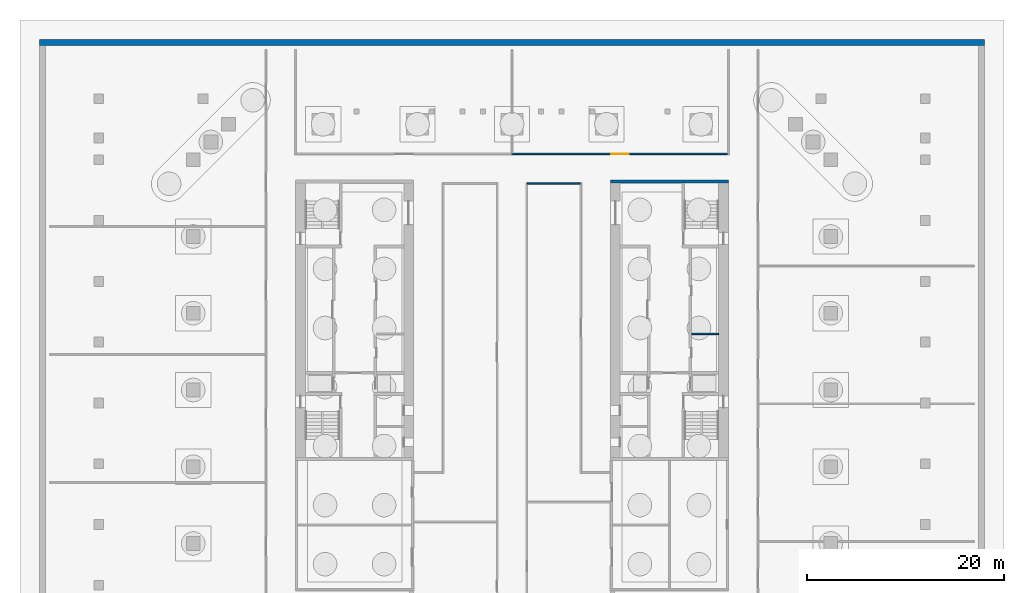
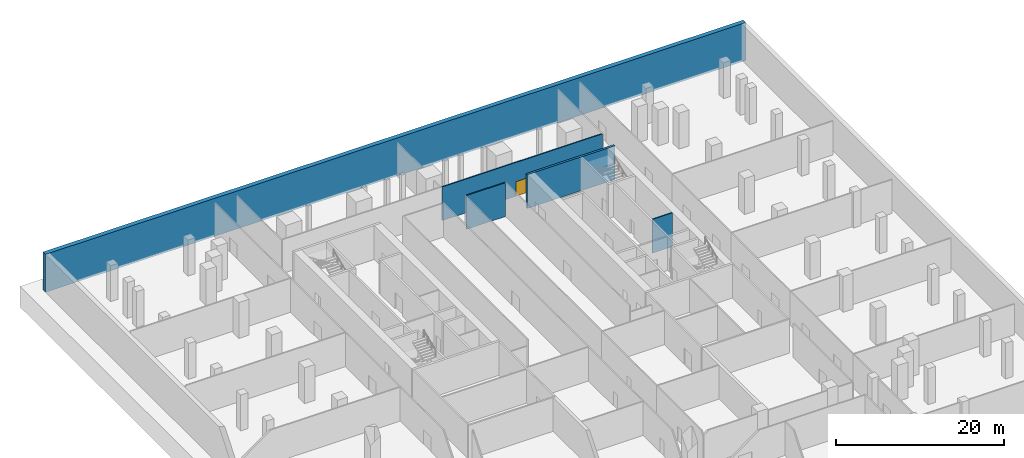
# One storey, part 10 of 14: 5 walls, 1 door, 1 opening.
"""IFC4 building model written with IfcOpenShell, lengths in metres."""

from ifc_helpers import new_model, si_unit, direction, frame, frame_2d, origin, place, context, subcontext, project, spatial, rectangle, extrude, material, layer, layer_set, type_object, element, fill, save


model = new_model("IFC4")

# Units and contexts
model_context = context("Model", 3, precision=1e-05, world=origin(), true_north=direction((0.0, 1.0)))
body_context = subcontext(model_context, "Body", "Model", "MODEL_VIEW")
ifc_project = project(units=[si_unit("LENGTHUNIT", "METRE"), si_unit("AREAUNIT", "SQUARE_METRE"), si_unit("VOLUMEUNIT", "CUBIC_METRE"), si_unit("PLANEANGLEUNIT", "RADIAN"), si_unit("MASSUNIT", "GRAM", prefix="KILO")], contexts=[model_context])

# Site, building, storey
site_placement = place(None, origin())
site = spatial("IfcSite", under=ifc_project, at=site_placement, CompositionType="ELEMENT")
building_placement = place(site_placement, origin())
building = spatial("IfcBuilding", under=site, at=building_placement, Name="Ogive Exchange Tower", CompositionType="ELEMENT")
storey_placement = place(building_placement, frame((0.0, 0.0, -10.39990234375)))
storey = spatial("IfcBuildingStorey", under=building, at=storey_placement, Name="B2", CompositionType="ELEMENT", Elevation=-10.39990234375)

# Walls
ifc_material_1 = material(Name="Concrete C50/60", Category="concrete")
ifc_layer_1 = layer(ifc_material_1, 0.60009765625)
ifc_layer_set_1 = layer_set([ifc_layer_1], Name="Concrete C50/60 retaining wall 600")
wall_type_1 = type_object("IfcWallType", Name="Concrete C50/60 retaining wall 600", PredefinedType="SOLIDWALL", material=ifc_layer_set_1)
wall_1_placement = place(storey_placement, frame((-48.0, 39.699951171875, -0.300048828125), z_axis=(0.0, 0.0, 1.0), x_axis=(1.0, 0.0, 0.0)))
element("IfcWall", 1, at=wall_1_placement, inside=storey, type_object=wall_type_1, Name="Retaining wall N", PredefinedType="SOLIDWALL", context=body_context, shape_type="SweptSolid", body=[
    extrude(rectangle(XDim=96.0, YDim=0.60009765625, at=frame_2d((48.0, 0.0))), origin(), (0.0, 0.0, 1.0), 5.5),
])
ifc_material_2 = material(Name="Gypsum board partition")
ifc_layer_2 = layer(ifc_material_2, 0.14990234375)
ifc_layer_set_2 = layer_set([ifc_layer_2], Name="Core room partition 150 gypsum")
wall_type_2 = type_object("IfcWallType", Name="Core room partition 150 gypsum", PredefinedType="PARTITIONING", material=ifc_layer_set_2)
wall_2_placement = place(storey_placement, frame((18.25, 10.10009765625, 0.0), z_axis=(0.0, 0.0, 1.0), x_axis=(1.0, 0.0, 0.0)))
element("IfcWall", 2, at=wall_2_placement, inside=storey, type_object=wall_type_2, Name="E row A bay partition 1-1", PredefinedType="PARTITIONING", context=body_context, shape_type="SweptSolid", body=[
    extrude(rectangle(XDim=2.75, YDim=0.14990234375, at=frame_2d((1.375, 0.0))), origin(), (0.0, 0.0, 1.0), 4.89990234375),
])
ifc_material_3 = material(Name="Fire partition EI 60 150")
ifc_layer_3 = layer(ifc_material_3, 0.14990234375)
ifc_layer_set_3 = layer_set([ifc_layer_3], Name="Fire partition EI 60 150")
wall_type_3 = type_object("IfcWallType", Name="Fire partition EI 60 150", PredefinedType="PARTITIONING", material=ifc_layer_set_3)
wall_3_placement = place(storey_placement, frame((1.574951171875, 25.39990234375, 0.0), z_axis=(0.0, 0.0, 1.0), x_axis=(1.0, 0.0, 0.0)))
element("IfcWall", 3, at=wall_3_placement, inside=storey, type_object=wall_type_3, Name="B2-PWL-035", PredefinedType="PARTITIONING", context=body_context, shape_type="SweptSolid", body=[
    extrude(rectangle(XDim=5.35009765625, YDim=0.14990234375, at=frame_2d((2.675048828125, 0.0))), origin(), (0.0, 0.0, 1.0), 4.89990234375),
])

# Wall, opening, door
wall_4_placement = place(storey_placement, frame((0.0, 28.39990234375, 0.0), z_axis=(0.0, 0.0, 1.0), x_axis=(1.0, 0.0, 0.0)))
wall_4 = element("IfcWall", 4, at=wall_4_placement, inside=storey, type_object=wall_type_3, Name="B2-PWL-037", PredefinedType="PARTITIONING", context=body_context, shape_type="SweptSolid", body=[
    extrude(rectangle(XDim=21.925048828125, YDim=0.14990234375, at=frame_2d((10.96240234375, 0.0))), origin(), (0.0, 0.0, 1.0), 4.89990234375),
])
opening_placement = place(wall_4_placement, frame((10.0625, 0.0, 0.0)))
opening = element("IfcOpeningElement", 5, at=opening_placement, cuts=wall_4, Name="Opening B2-I33", PredefinedType="OPENING", context=body_context, shape_type="SweptSolid", body=[
    extrude(rectangle(XDim=1.800048828125, YDim=2.10009765625, at=frame_2d((0.89990234375, 1.050048828125))), frame((0.0, 0.0849609375, 0.0), z_axis=(0.0, -1.0, 0.0), x_axis=(1.0, 0.0, 0.0)), (0.0, 0.0, 1.0), 0.169921875),
])
ifc_material_4 = material(Name="Fire door FD 30S 1800 x 2100")
door_type = type_object("IfcDoorType", Name="Fire door FD 30S 1800 x 2100", OperationType="DOUBLE_DOOR_SINGLE_SWING", PredefinedType="DOOR", material=ifc_material_4)
door_placement = place(opening_placement, frame((1.800048828125, 0.0, 0.0), z_axis=(0.0, 0.0, 1.0), x_axis=(-1.0, 0.0, 0.0)))
door = element("IfcDoor", 6, at=door_placement, inside=storey, type_object=door_type, Name="B2-IDR-033", ObjectType="DT4", OperationType="SINGLE_SWING_LEFT", OverallHeight=2.10009765625, OverallWidth=1.800048828125, PredefinedType="DOOR", context=body_context, shape_type="SweptSolid", body=[
    extrude(rectangle(XDim=1.800048828125, YDim=2.10009765625, at=frame_2d((0.89990234375, 1.050048828125))), frame((0.0, 0.02490234375, 0.0), z_axis=(0.0, -1.0, 0.0), x_axis=(1.0, 0.0, 0.0)), (0.0, 0.0, 1.0), 0.050048828125),
])
fill(opening, door)

# Wall
ifc_material_5 = material(Name="Concrete C70/85", Category="concrete")
ifc_layer_4 = layer(ifc_material_5, 0.300048828125)
ifc_layer_set_4 = layer_set([ifc_layer_4], Name="RC core wall 300 C70/85")
wall_type_4 = type_object("IfcWallType", Name="RC core wall 300 C70/85", PredefinedType="SHEAR", material=ifc_layer_set_4)
wall_5_placement = place(storey_placement, frame((10.0, 25.60009765625, 0.0), z_axis=(0.0, 0.0, 1.0), x_axis=(1.0, 0.0, 0.0)))
element("IfcWall", 7, at=wall_5_placement, inside=storey, type_object=wall_type_4, Name="E north end wall", PredefinedType="SHEAR", context=body_context, shape_type="SweptSolid", body=[
    extrude(rectangle(XDim=12.0, YDim=0.300048828125, at=frame_2d((6.0, 0.0))), origin(), (0.0, 0.0, 1.0), 4.89990234375),
])

save(model, "model.ifc")
